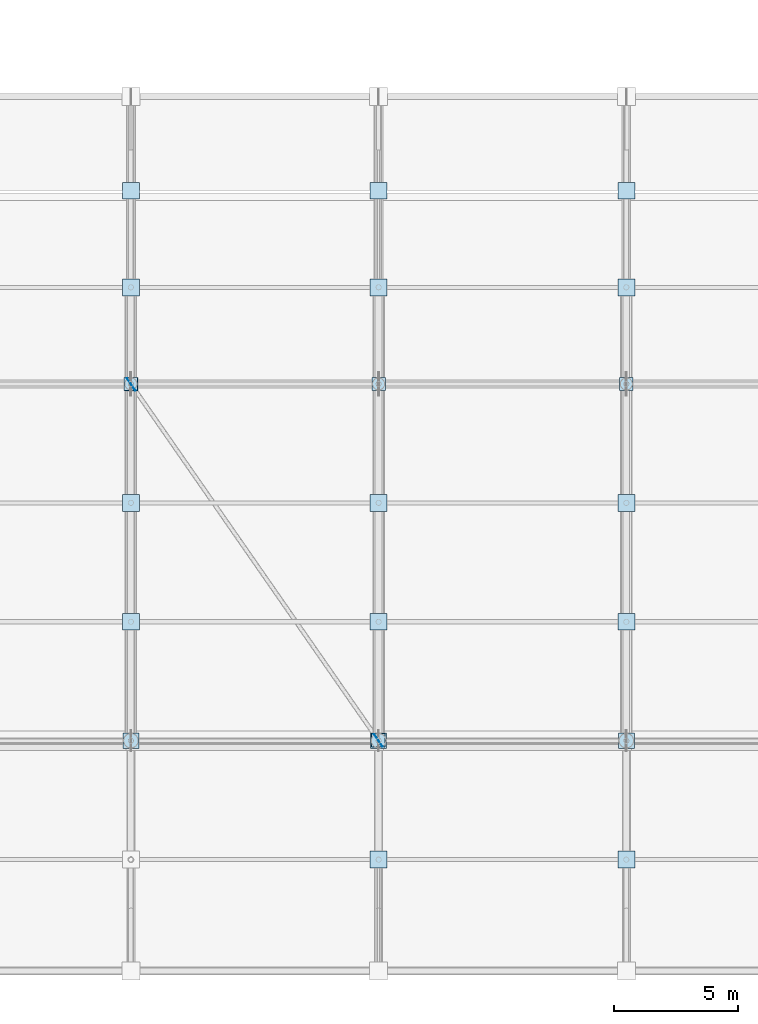
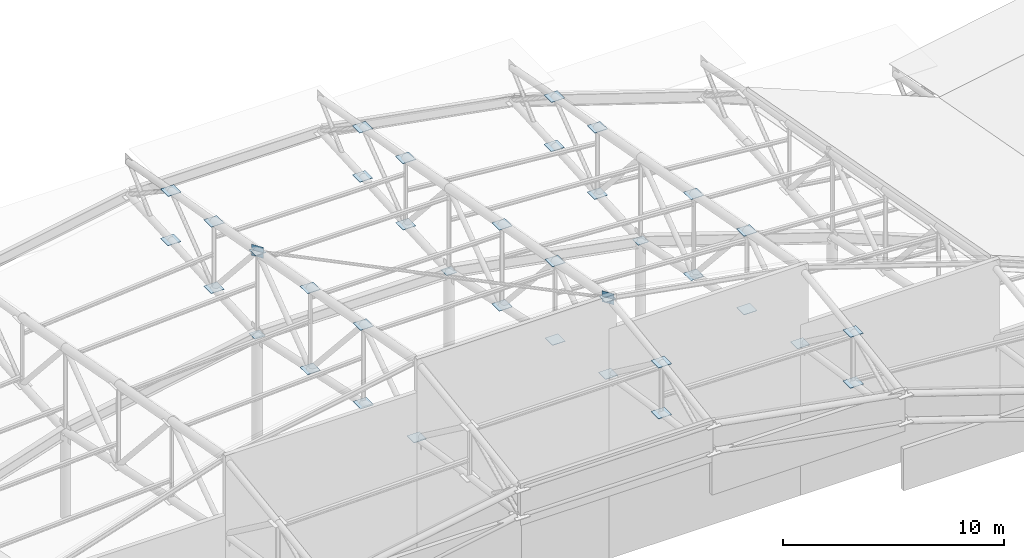
# One storey, part 128 of 146: 38 plates.
"""IFC4 building model written with IfcOpenShell, lengths in metres."""

from ifc_helpers import new_model, si_unit, direction, frame, origin, origin_2d, place, context, subcontext, project, spatial, rectangle, extrude, material, layer, layer_set, type_object, element, save


model = new_model("IFC4")

# Units and contexts
model_context = context("Model", 3, precision=1e-05, world=origin(), true_north=direction((0.0, 1.0)))
body_context = subcontext(model_context, "Body", "Model", "MODEL_VIEW")
ifc_project = project(units=[si_unit("LENGTHUNIT", "METRE"), si_unit("AREAUNIT", "SQUARE_METRE"), si_unit("VOLUMEUNIT", "CUBIC_METRE"), si_unit("PLANEANGLEUNIT", "RADIAN"), si_unit("MASSUNIT", "GRAM", prefix="KILO")], contexts=[model_context])

# Site, building, storey
site_placement = place(None, origin())
site = spatial("IfcSite", under=ifc_project, at=site_placement, CompositionType="ELEMENT")
building_placement = place(site_placement, origin())
building = spatial("IfcBuilding", under=site, at=building_placement, Name="Candeia Ridge Stadium", CompositionType="ELEMENT")
storey_placement = place(building_placement, frame((0.0, 0.0, 31.800048828125)))
storey = spatial("IfcBuildingStorey", under=building, at=storey_placement, Name="RF", CompositionType="ELEMENT", Elevation=31.800048828125)

# Plates
ifc_material = material(Name="Steel ASTM A572 Grade 50", Category="steel")
ifc_layer_1 = layer(ifc_material, 0.02490234375, Name="Steel ASTM A572 Grade 50", Category="steel")
ifc_layer_set_1 = layer_set([ifc_layer_1], Name="Steel ASTM A572 Grade 50")
plate_type_1 = type_object("IfcPlateType", Name="Hollow Section End Closure Plate CP1", PredefinedType="SHEET", material=ifc_layer_set_1)
plate_1_placement = place(storey_placement, frame((101.0, 33.39990234375, 6.48779296875), z_axis=(0.0, 0.0, 1.0), x_axis=(1.0, 0.0, 0.0)))
element("IfcPlate", 1, at=plate_1_placement, inside=storey, type_object=plate_type_1, Name="Hollow section end closure plate MCAP-T-BC-MD-21", PredefinedType="SHEET", context=body_context, shape_type="SweptSolid", body=[
    extrude(rectangle(XDim=0.5400390625, YDim=0.5400390625, at=origin_2d()), origin(), (0.0, 0.0, 1.0), 0.02490234375),
])
plate_2_placement = place(storey_placement, frame((101.0, 19.0, 9.5517578125), z_axis=(0.0, 0.0, 1.0), x_axis=(1.0, 0.0, 0.0)))
element("IfcPlate", 2, at=plate_2_placement, inside=storey, type_object=plate_type_1, Name="Hollow section end closure plate MCAP-T-BC-OU-21", PredefinedType="SHEET", context=body_context, shape_type="SweptSolid", body=[
    extrude(rectangle(XDim=0.639892578125, YDim=0.639892578125, at=origin_2d()), origin(), (0.0, 0.0, 1.0), 0.02490234375),
])
plate_3_placement = place(storey_placement, frame((111.0, 33.39990234375, 6.48779296875), z_axis=(0.0, 0.0, 1.0), x_axis=(1.0, 0.0, 0.0)))
element("IfcPlate", 3, at=plate_3_placement, inside=storey, type_object=plate_type_1, Name="Hollow section end closure plate MCAP-T-BC-MD-22", PredefinedType="SHEET", context=body_context, shape_type="SweptSolid", body=[
    extrude(rectangle(XDim=0.5400390625, YDim=0.5400390625, at=origin_2d()), origin(), (0.0, 0.0, 1.0), 0.02490234375),
])
plate_4_placement = place(storey_placement, frame((111.0, 19.0, 9.5517578125), z_axis=(0.0, 0.0, 1.0), x_axis=(1.0, 0.0, 0.0)))
element("IfcPlate", 4, at=plate_4_placement, inside=storey, type_object=plate_type_1, Name="Hollow section end closure plate MCAP-T-BC-OU-22", PredefinedType="SHEET", context=body_context, shape_type="SweptSolid", body=[
    extrude(rectangle(XDim=0.639892578125, YDim=0.639892578125, at=origin_2d()), origin(), (0.0, 0.0, 1.0), 0.02490234375),
])
plate_5_placement = place(storey_placement, frame((121.0, 33.39990234375, 4.672607421875), z_axis=(0.0, 0.0, 1.0), x_axis=(1.0, 0.0, 0.0)))
element("IfcPlate", 5, at=plate_5_placement, inside=storey, type_object=plate_type_1, Name="Hollow section end closure plate MCAP-T-BC-MD-23", PredefinedType="SHEET", context=body_context, shape_type="SweptSolid", body=[
    extrude(rectangle(XDim=0.5400390625, YDim=0.5400390625, at=origin_2d()), origin(), (0.0, 0.0, 1.0), 0.02490234375),
])
plate_6_placement = place(storey_placement, frame((121.0, 19.0, 7.73681640625), z_axis=(0.0, 0.0, 1.0), x_axis=(1.0, 0.0, 0.0)))
element("IfcPlate", 6, at=plate_6_placement, inside=storey, type_object=plate_type_1, Name="Hollow section end closure plate MCAP-T-BC-OU-23", PredefinedType="SHEET", context=body_context, shape_type="SweptSolid", body=[
    extrude(rectangle(XDim=0.639892578125, YDim=0.639892578125, at=origin_2d()), origin(), (0.0, 0.0, 1.0), 0.02490234375),
])
ifc_layer_2 = layer(ifc_material, 0.02490234375, Name="Steel ASTM A572 Grade 50", Category="steel")
ifc_layer_set_2 = layer_set([ifc_layer_2], Name="Steel ASTM A572 Grade 50")
plate_type_2 = type_object("IfcPlateType", Name="Hollow Section End Closure Plate CP3", PredefinedType="SHEET", material=ifc_layer_set_2)
for number, where, z_axis, x_axis, name in (
    (7, (101.0, 41.199951171875, 9.69482421875), (0.0, 0.0, 1.0), (1.0, 0.0, 0.0), "Hollow section end closure plate NCAP-T-21-1"),
    (8, (101.0, 41.199951171875, 6.9775390625), (0.0, 0.0, 1.0), (1.0, 0.0, 0.0), "Hollow section end closure plate NCAP-B-21-1"),
    (9, (101.0, 37.300048828125, 10.3662109375), (0.0, 0.0, 1.0), (1.0, 0.0, 0.0), "Hollow section end closure plate NCAP-T-21-2"),
    (10, (101.0, 37.300048828125, 6.707763671875), (0.0, 0.0, 1.0), (1.0, 0.0, 0.0), "Hollow section end closure plate NCAP-B-21-2"),
    (11, (101.0, 28.60009765625, 11.975830078125), (0.0, 0.0, 1.0), (1.0, 0.0, 0.0), "Hollow section end closure plate NCAP-T-21-4"),
    (12, (101.0, 28.60009765625, 7.509033203125), (0.0, 0.0, 1.0), (1.0, 0.0, 0.0), "Hollow section end closure plate NCAP-B-21-4"),
    (13, (101.0, 23.800048828125, 12.86376953125), (0.0, 0.0, 1.0), (1.0, 0.0, 0.0), "Hollow section end closure plate NCAP-T-21-5"),
    (14, (101.0, 23.800048828125, 8.530517578125), (0.0, 0.0, 1.0), (1.0, 0.0, 0.0), "Hollow section end closure plate NCAP-B-21-5"),
):
    element("IfcPlate", number, at=place(storey_placement, frame(where, z_axis=z_axis, x_axis=x_axis)), inside=storey, type_object=plate_type_2, Name=name, PredefinedType="SHEET", context=body_context, shape_type="SweptSolid", body=[
        extrude(rectangle(XDim=0.679931640625, YDim=0.679931640625, at=origin_2d()), origin(), (0.0, 0.0, 1.0), 0.02490234375),
    ])
for number, where, z_axis, x_axis, name in (
    (15, (101.01123046875, 33.3837890625, 11.0908203125), (0.0, 0.0, 1.0), (1.0, 0.0, 0.0), "Hollow section end closure plate WBCAP-A-21"),
    (16, (110.98876953125, 19.016357421875, 13.748779296875), (0.0, 0.0, 1.0), (1.0, 0.0, 0.0), "Hollow section end closure plate WBCAP-B-21"),
):
    element("IfcPlate", number, at=place(storey_placement, frame(where, z_axis=z_axis, x_axis=x_axis)), inside=storey, type_object=plate_type_2, Name=name, PredefinedType="SHEET", context=body_context, shape_type="SweptSolid", body=[
        extrude(rectangle(XDim=0.550048828125, YDim=0.550048828125, at=origin_2d()), origin(), (0.0, 0.0, 1.0), 0.02490234375),
    ])
for number, where, z_axis, x_axis, name in (
    (17, (111.0, 41.199951171875, 9.69482421875), (0.0, 0.0, 1.0), (1.0, 0.0, 0.0), "Hollow section end closure plate NCAP-T-22-1"),
    (18, (111.0, 41.199951171875, 6.9775390625), (0.0, 0.0, 1.0), (1.0, 0.0, 0.0), "Hollow section end closure plate NCAP-B-22-1"),
    (19, (111.0, 37.300048828125, 10.3662109375), (0.0, 0.0, 1.0), (1.0, 0.0, 0.0), "Hollow section end closure plate NCAP-T-22-2"),
    (20, (111.0, 37.300048828125, 6.707763671875), (0.0, 0.0, 1.0), (1.0, 0.0, 0.0), "Hollow section end closure plate NCAP-B-22-2"),
    (21, (111.0, 28.60009765625, 11.975830078125), (0.0, 0.0, 1.0), (1.0, 0.0, 0.0), "Hollow section end closure plate NCAP-T-22-4"),
    (22, (111.0, 28.60009765625, 7.509033203125), (0.0, 0.0, 1.0), (1.0, 0.0, 0.0), "Hollow section end closure plate NCAP-B-22-4"),
    (23, (111.0, 23.800048828125, 12.86376953125), (0.0, 0.0, 1.0), (1.0, 0.0, 0.0), "Hollow section end closure plate NCAP-T-22-5"),
    (24, (111.0, 23.800048828125, 8.530517578125), (0.0, 0.0, 1.0), (1.0, 0.0, 0.0), "Hollow section end closure plate NCAP-B-22-5"),
    (25, (111.0, 14.199951171875, 13.110107421875), (0.0, 0.0, 1.0), (1.0, 0.0, 0.0), "Hollow section end closure plate NCAP-T-22-7"),
    (26, (111.0, 14.199951171875, 10.3037109375), (0.0, 0.0, 1.0), (1.0, 0.0, 0.0), "Hollow section end closure plate NCAP-B-22-7"),
    (27, (121.0, 41.199951171875, 7.879638671875), (0.0, 0.0, 1.0), (1.0, 0.0, 0.0), "Hollow section end closure plate NCAP-T-23-1"),
    (28, (121.0, 41.199951171875, 5.16259765625), (0.0, 0.0, 1.0), (1.0, 0.0, 0.0), "Hollow section end closure plate NCAP-B-23-1"),
    (29, (121.0, 37.300048828125, 8.55126953125), (0.0, 0.0, 1.0), (1.0, 0.0, 0.0), "Hollow section end closure plate NCAP-T-23-2"),
    (30, (121.0, 37.300048828125, 4.892578125), (0.0, 0.0, 1.0), (1.0, 0.0, 0.0), "Hollow section end closure plate NCAP-B-23-2"),
    (31, (121.0, 28.60009765625, 10.16064453125), (0.0, 0.0, 1.0), (1.0, 0.0, 0.0), "Hollow section end closure plate NCAP-T-23-4"),
    (32, (121.0, 28.60009765625, 5.694091796875), (0.0, 0.0, 1.0), (1.0, 0.0, 0.0), "Hollow section end closure plate NCAP-B-23-4"),
    (33, (121.0, 23.800048828125, 11.048583984375), (0.0, 0.0, 1.0), (1.0, 0.0, 0.0), "Hollow section end closure plate NCAP-T-23-5"),
    (34, (121.0, 23.800048828125, 6.71533203125), (0.0, 0.0, 1.0), (1.0, 0.0, 0.0), "Hollow section end closure plate NCAP-B-23-5"),
    (35, (121.0, 14.199951171875, 11.295166015625), (0.0, 0.0, 1.0), (1.0, 0.0, 0.0), "Hollow section end closure plate NCAP-T-23-7"),
    (36, (121.0, 14.199951171875, 8.488525390625), (0.0, 0.0, 1.0), (1.0, 0.0, 0.0), "Hollow section end closure plate NCAP-B-23-7"),
):
    element("IfcPlate", number, at=place(storey_placement, frame(where, z_axis=z_axis, x_axis=x_axis)), inside=storey, type_object=plate_type_2, Name=name, PredefinedType="SHEET", context=body_context, shape_type="SweptSolid", body=[
        extrude(rectangle(XDim=0.679931640625, YDim=0.679931640625, at=origin_2d()), origin(), (0.0, 0.0, 1.0), 0.02490234375),
    ])
ifc_layer_3 = layer(ifc_material, 0.02392578125, Name="Steel ASTM A572 Grade 50", Category="steel")
ifc_layer_set_3 = layer_set([ifc_layer_3], Name="Steel ASTM A572 Grade 50")
plate_type_3 = type_object("IfcPlateType", Name="Roof Truss Chord-Web Node Gusset ND-3", PredefinedType="USERDEFINED", material=ifc_layer_set_3)
for number, where, z_axis, x_axis, name in (
    (37, (101.01123046875, 33.3837890625, 10.80322265625), (0.0, 0.0, 1.0), (0.570395359839, -0.821370277934, 0.0), "Roof wind brace end gusset A bay 22"),
    (38, (110.98876953125, 19.016357421875, 13.461181640625), (0.0, 0.0, 1.0), (0.570395359839, -0.821370277934, 0.0), "Roof wind brace end gusset B bay 22"),
):
    element("IfcPlate", number, at=place(storey_placement, frame(where, z_axis=z_axis, x_axis=x_axis)), inside=storey, type_object=plate_type_3, Name=name, ObjectType="GUSSET PLATE", PredefinedType="USERDEFINED", context=body_context, shape_type="SweptSolid", body=[
        extrude(rectangle(XDim=0.60009765625, YDim=0.02392578125, at=origin_2d()), origin(), (0.0, 0.0, 1.0), 0.60009765625),
    ])

save(model, "model.ifc")
